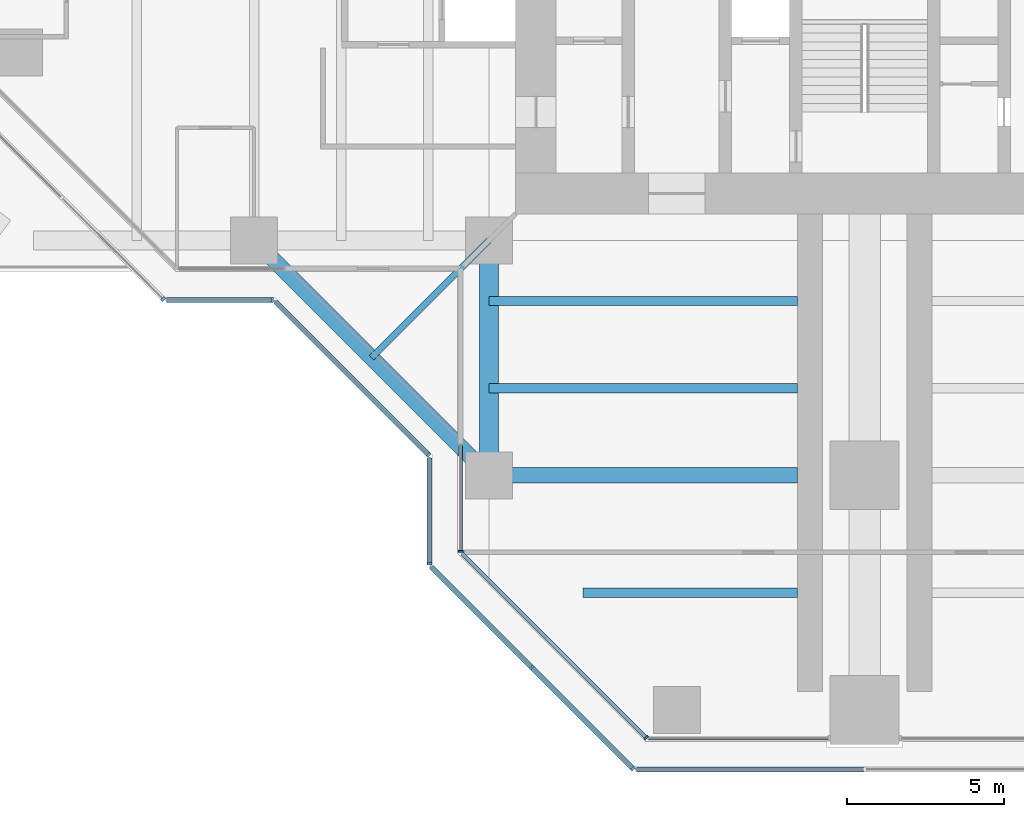
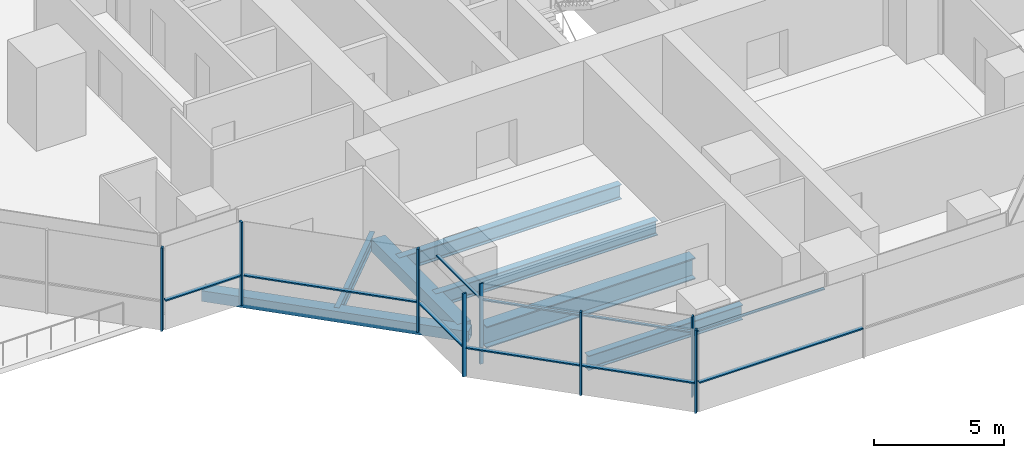
# One storey, part 2 of 19: 17 members, 7 beams, 9 elements without a shape of their own.
"""IFC4 building model written with IfcOpenShell, lengths in metres."""

from ifc_helpers import new_model, si_unit, direction, frame, origin, origin_2d, place, context, subcontext, project, spatial, rectangle, hollow_rectangle, i_section, extrude, material, material_profile, profile_set, type_object, element, aggregate, save


model = new_model("IFC4")

# Units and contexts
model_context = context("Model", 3, precision=1e-05, world=origin(), true_north=direction((0.0, 1.0)))
body_context = subcontext(model_context, "Body", "Model", "MODEL_VIEW")
ifc_project = project(units=[si_unit("LENGTHUNIT", "METRE"), si_unit("AREAUNIT", "SQUARE_METRE"), si_unit("VOLUMEUNIT", "CUBIC_METRE"), si_unit("PLANEANGLEUNIT", "RADIAN"), si_unit("MASSUNIT", "GRAM", prefix="KILO")], contexts=[model_context])

# Site, building, storey
site_placement = place(None, origin())
site = spatial("IfcSite", under=ifc_project, at=site_placement, CompositionType="ELEMENT")
building_placement = place(site_placement, origin())
building = spatial("IfcBuilding", under=site, at=building_placement, Name="Mizan Broadcast Tower", CompositionType="ELEMENT")
storey_placement = place(building_placement, frame((0.0, 0.0, 204.89990234375)))
storey = spatial("IfcBuildingStorey", under=building, at=storey_placement, Name="L47", CompositionType="ELEMENT", Elevation=204.89990234375)

# Beams
ifc_material_1 = material(Name="Steel S355", Category="steel")
ifc_material_profile_1 = material_profile(ifc_material_1, hollow_rectangle(XDim=0.5, YDim=0.5, WallThickness=0.030029296875, at=origin_2d()), Name="BOX 500x500x30")
ifc_profile_set_1 = profile_set([ifc_material_profile_1], Name="Steel S355")
beam_type_1 = type_object("IfcBeamType", Name="EDGE BEAM BOX 500x500x30", PredefinedType="SPANDREL", material=ifc_profile_set_1)
beam_1_placement = place(storey_placement, frame((-19.5, -12.0, -0.3798828125), z_axis=(0.707106781187, -0.707106781187, 0.0), x_axis=(0.707106781187, 0.707106781187, 0.0)))
element("IfcBeam", 1, at=beam_1_placement, inside=storey, type_object=beam_type_1, Name="Winter garden edge beam L47 W", PredefinedType="SPANDREL", context=body_context, shape_type="SweptSolid", body=[
    extrude(hollow_rectangle(XDim=0.5, YDim=0.5, WallThickness=0.030029296875, at=origin_2d()), origin(), (0.0, 0.0, 1.0), 10.606689453125),
])
ifc_material_2 = material(Name="Steel S355", Category="steel")
ifc_material_profile_2 = material_profile(ifc_material_2, hollow_rectangle(XDim=0.60009765625, YDim=0.60009765625, WallThickness=0.0400390625, at=origin_2d()), Name="BOX 600x600x40")
ifc_profile_set_2 = profile_set([ifc_material_profile_2], Name="Steel S355")
beam_type_2 = type_object("IfcBeamType", Name="EDGE BEAM BOX 600x600x40", PredefinedType="SPANDREL", material=ifc_profile_set_2)
beam_2_placement = place(storey_placement, frame((-12.0, -12.449951171875, -0.429931640625), z_axis=(0.0, -1.0, 0.0), x_axis=(1.0, 0.0, 0.0)))
element("IfcBeam", 2, at=beam_2_placement, inside=storey, type_object=beam_type_2, Name="Edge beam BOX 600x600x40 L47 south arm", PredefinedType="SPANDREL", context=body_context, shape_type="SweptSolid", body=[
    extrude(hollow_rectangle(XDim=0.60009765625, YDim=0.60009765625, WallThickness=0.0400390625, at=origin_2d()), origin(), (0.0, 0.0, 1.0), 6.60009765625),
])
ifc_material_3 = material(Name="Steel S460", Category="steel")
ifc_material_profile_3 = material_profile(ifc_material_3, i_section(OverallWidth=0.5, OverallDepth=1.0, WebThickness=0.02490234375, FlangeThickness=0.050048828125, at=origin_2d()), Name="WPG 1000x500")
ifc_profile_set_3 = profile_set([ifc_material_profile_3], Name="Steel S460")
beam_type_3 = type_object("IfcBeamType", Name="GIRDER WPG 1000x500", PredefinedType="BEAM", material=ifc_profile_set_3)
beam_3_placement = place(storey_placement, frame((-11.408935546875, -19.5, -0.6298828125), z_axis=(1.0, 0.0, 0.0), x_axis=(0.0, 1.0, 0.0)))
element("IfcBeam", 3, at=beam_3_placement, inside=storey, type_object=beam_type_3, Name="Girder WPG 1000x500 L47 south arm", PredefinedType="BEAM", context=body_context, shape_type="SweptSolid", body=[
    extrude(i_section(OverallWidth=0.5, OverallDepth=1.0, WebThickness=0.02490234375, FlangeThickness=0.050048828125, at=origin_2d()), origin(), (0.0, 0.0, 1.0), 9.259033203125),
])

# Curtain wall, member
ifc_material_4 = material(Name="Aluminium framed glazing", Category="aluminium")
curtain_wall_type_1 = type_object("IfcCurtainWallType", Name="INNER SKIN HIGH ZONE", PredefinedType="USERDEFINED", material=ifc_material_4)
curtain_wall_1_placement = place(storey_placement, origin())
curtain_wall_1 = element("IfcCurtainWall", 4, at=curtain_wall_1_placement, inside=storey, type_object=curtain_wall_type_1, Name="Inner skin high zone L47 S side", ObjectType="INNER SKIN HIGH ZONE", PredefinedType="USERDEFINED")
ifc_material_5 = material(Name="Aluminium, pale anodised", Category="aluminium")
ifc_material_profile_4 = material_profile(ifc_material_5, rectangle(XDim=0.159912109375, YDim=0.06005859375, at=origin_2d()), Name="MULLION 160x60")
ifc_profile_set_4 = profile_set([ifc_material_profile_4], Name="Aluminium, pale anodised")
member_type_1 = type_object("IfcMemberType", Name="INNER SKIN MULLION 60x160", PredefinedType="MULLION", material=ifc_profile_set_4)
member_1_placement = place(storey_placement, frame((-12.89990234375, -21.928466796875, 0.0), z_axis=(0.0, 0.0, 1.0), x_axis=(1.0, 0.0, 0.0)))
member_1 = element("IfcMember", 5, at=member_1_placement, type_object=member_type_1, Name="Inner skin high zone L47 S side mullion 2", PredefinedType="MULLION", context=body_context, shape_type="SweptSolid", body=[
    extrude(rectangle(XDim=0.159912109375, YDim=0.06005859375, at=origin_2d()), origin(), (0.0, 0.0, 1.0), 3.77001953125),
])

curtain_wall_2_placement = place(storey_placement, origin())
curtain_wall_2 = element("IfcCurtainWall", 6, at=curtain_wall_2_placement, inside=storey, type_object=curtain_wall_type_1, Name="Inner skin high zone L47 S chamfer", ObjectType="INNER SKIN HIGH ZONE", PredefinedType="USERDEFINED")
member_2_placement = place(storey_placement, frame((-6.979736328125, -27.87890625, 0.0), z_axis=(0.0, 0.0, 1.0), x_axis=(0.707106781187, 0.707106781187, 0.0)))
member_2 = element("IfcMember", 7, at=member_2_placement, type_object=member_type_1, Name="Inner skin high zone L47 S chamfer mullion 2", PredefinedType="MULLION", context=body_context, shape_type="SweptSolid", body=[
    extrude(rectangle(XDim=0.159912109375, YDim=0.06005859375, at=origin_2d()), origin(), (0.0, 0.0, 1.0), 3.77001953125),
])

# Member
ifc_material_6 = material(Name="Aluminium, pale anodised", Category="aluminium")
ifc_material_profile_5 = material_profile(ifc_material_6, rectangle(XDim=0.1201171875, YDim=0.06005859375, at=origin_2d()), Name="TRANSOM 120x60")
ifc_profile_set_5 = profile_set([ifc_material_profile_5], Name="Aluminium, pale anodised")
member_type_2 = type_object("IfcMemberType", Name="INNER SKIN TRANSOM 60x120", PredefinedType="USERDEFINED", material=ifc_profile_set_5)
member_3_placement = place(storey_placement, frame((-12.89990234375, -18.56005859375, 3.030029296875), z_axis=(0.0, -1.0, 0.0), x_axis=(1.0, 0.0, 0.0)))
member_3 = element("IfcMember", 8, at=member_3_placement, type_object=member_type_2, Name="Inner skin high zone L47 S side transom 1.1", ObjectType="TRANSOM", PredefinedType="USERDEFINED", context=body_context, shape_type="SweptSolid", body=[
    extrude(rectangle(XDim=0.1201171875, YDim=0.06005859375, at=origin_2d()), origin(), (0.0, 0.0, 1.0), 3.338623046875),
])

aggregate(curtain_wall_1, [member_1, member_3])

member_4_placement = place(storey_placement, frame((-12.857666015625, -22.0009765625, 3.030029296875), z_axis=(0.707106781187, -0.707106781187, 0.0), x_axis=(0.707106781187, 0.707106781187, 0.0)))
member_4 = element("IfcMember", 9, at=member_4_placement, type_object=member_type_2, Name="Inner skin high zone L47 S chamfer transom 1.1", ObjectType="TRANSOM", PredefinedType="USERDEFINED", context=body_context, shape_type="SweptSolid", body=[
    extrude(rectangle(XDim=0.1201171875, YDim=0.06005859375, at=origin_2d()), origin(), (0.0, 0.0, 1.0), 8.28271484375),
])

aggregate(curtain_wall_2, [member_2, member_4])

# Curtain wall, member
curtain_wall_3_placement = place(storey_placement, origin())
curtain_wall_3 = element("IfcCurtainWall", 10, at=curtain_wall_3_placement, inside=storey, type_object=curtain_wall_type_1, Name="Inner skin high zone L47 S end", ObjectType="INNER SKIN HIGH ZONE", PredefinedType="USERDEFINED")
member_5_placement = place(storey_placement, frame((-6.898681640625, -27.89990234375, 3.030029296875), z_axis=(1.0, 0.0, 0.0), x_axis=(0.0, 1.0, 0.0)))
member_5 = element("IfcMember", 11, at=member_5_placement, type_object=member_type_2, Name="Inner skin high zone L47 S end transom 1.1", ObjectType="TRANSOM", PredefinedType="USERDEFINED", context=body_context, shape_type="SweptSolid", body=[
    extrude(rectangle(XDim=0.1201171875, YDim=0.06005859375, at=origin_2d()), origin(), (0.0, 0.0, 1.0), 5.73876953125),
])
aggregate(curtain_wall_3, [member_5])

ifc_material_7 = material(Name="Aluminium framed glazing", Category="aluminium")
curtain_wall_type_2 = type_object("IfcCurtainWallType", Name="OUTER SKIN", PredefinedType="USERDEFINED", material=ifc_material_7)
curtain_wall_4_placement = place(storey_placement, origin())
curtain_wall_4 = element("IfcCurtainWall", 12, at=curtain_wall_4_placement, inside=storey, type_object=curtain_wall_type_2, Name="Outer skin L47 W chamfer", ObjectType="OUTER SKIN", PredefinedType="USERDEFINED")
ifc_material_8 = material(Name="Aluminium, pale anodised", Category="aluminium")
ifc_material_profile_6 = material_profile(ifc_material_8, rectangle(XDim=0.159912109375, YDim=0.080078125, at=origin_2d()), Name="MULLION 160x80")
ifc_profile_set_6 = profile_set([ifc_material_profile_6], Name="Aluminium, pale anodised")
member_type_3 = type_object("IfcMemberType", Name="OUTER SKIN MULLION 80x160", PredefinedType="MULLION", material=ifc_profile_set_6)
member_6_placement = place(storey_placement, frame((-22.401123046875, -13.871826171875, 0.0), z_axis=(0.0, 0.0, 1.0), x_axis=(0.707106781187, 0.707106781187, 0.0)))
member_6 = element("IfcMember", 13, at=member_6_placement, type_object=member_type_3, Name="Outer skin L47 W chamfer mullion 3", PredefinedType="MULLION", context=body_context, shape_type="SweptSolid", body=[
    extrude(rectangle(XDim=0.159912109375, YDim=0.080078125, at=origin_2d()), origin(), (0.0, 0.0, 1.0), 3.900146484375),
])
aggregate(curtain_wall_4, [member_6])

curtain_wall_5_placement = place(storey_placement, origin())
curtain_wall_5 = element("IfcCurtainWall", 14, at=curtain_wall_5_placement, inside=storey, type_object=curtain_wall_type_2, Name="Outer skin L47 W side", ObjectType="OUTER SKIN", PredefinedType="USERDEFINED")
member_7_placement = place(storey_placement, frame((-18.912841796875, -13.89990234375, 0.0), z_axis=(0.0, 0.0, 1.0), x_axis=(0.0, 1.0, 0.0)))
member_7 = element("IfcMember", 15, at=member_7_placement, type_object=member_type_3, Name="Outer skin L47 W side mullion 2", PredefinedType="MULLION", context=body_context, shape_type="SweptSolid", body=[
    extrude(rectangle(XDim=0.159912109375, YDim=0.080078125, at=origin_2d()), origin(), (0.0, 0.0, 1.0), 3.900146484375),
])

curtain_wall_6_placement = place(storey_placement, origin())
curtain_wall_6 = element("IfcCurtainWall", 16, at=curtain_wall_6_placement, inside=storey, type_object=curtain_wall_type_2, Name="Outer skin L47 W chamfer", ObjectType="OUTER SKIN", PredefinedType="USERDEFINED")
member_8_placement = place(storey_placement, frame((-13.92822265625, -18.844482421875, 0.0), z_axis=(0.0, 0.0, 1.0), x_axis=(0.707106781187, 0.707106781187, 0.0)))
member_8 = element("IfcMember", 17, at=member_8_placement, type_object=member_type_3, Name="Outer skin L47 W chamfer mullion 2", PredefinedType="MULLION", context=body_context, shape_type="SweptSolid", body=[
    extrude(rectangle(XDim=0.159912109375, YDim=0.080078125, at=origin_2d()), origin(), (0.0, 0.0, 1.0), 3.900146484375),
])

curtain_wall_7_placement = place(storey_placement, origin())
curtain_wall_7 = element("IfcCurtainWall", 18, at=curtain_wall_7_placement, inside=storey, type_object=curtain_wall_type_2, Name="Outer skin L47 S side", ObjectType="OUTER SKIN", PredefinedType="USERDEFINED")
member_9_placement = place(storey_placement, frame((-13.89990234375, -22.332763671875, 0.0), z_axis=(0.0, 0.0, 1.0), x_axis=(1.0, 0.0, 0.0)))
member_9 = element("IfcMember", 19, at=member_9_placement, type_object=member_type_3, Name="Outer skin L47 S side mullion 2", PredefinedType="MULLION", context=body_context, shape_type="SweptSolid", body=[
    extrude(rectangle(XDim=0.159912109375, YDim=0.080078125, at=origin_2d()), origin(), (0.0, 0.0, 1.0), 3.900146484375),
])

# Curtain wall, members
curtain_wall_8_placement = place(storey_placement, origin())
curtain_wall_8 = element("IfcCurtainWall", 20, at=curtain_wall_8_placement, inside=storey, type_object=curtain_wall_type_2, Name="Outer skin L47 S chamfer", ObjectType="OUTER SKIN", PredefinedType="USERDEFINED")
member_10_placement = place(storey_placement, frame((-10.636474609375, -25.636474609375, 0.0), z_axis=(0.0, 0.0, 1.0), x_axis=(0.707106781187, 0.707106781187, 0.0)))
member_10 = element("IfcMember", 21, at=member_10_placement, type_object=member_type_3, Name="Outer skin L47 S chamfer mullion 2", PredefinedType="MULLION", context=body_context, shape_type="SweptSolid", body=[
    extrude(rectangle(XDim=0.159912109375, YDim=0.080078125, at=origin_2d()), origin(), (0.0, 0.0, 1.0), 3.900146484375),
])
member_11_placement = place(storey_placement, frame((-7.401123046875, -28.871826171875, 0.0), z_axis=(0.0, 0.0, 1.0), x_axis=(0.707106781187, 0.707106781187, 0.0)))
member_11 = element("IfcMember", 22, at=member_11_placement, type_object=member_type_3, Name="Outer skin L47 S chamfer mullion 3", PredefinedType="MULLION", context=body_context, shape_type="SweptSolid", body=[
    extrude(rectangle(XDim=0.159912109375, YDim=0.080078125, at=origin_2d()), origin(), (0.0, 0.0, 1.0), 3.900146484375),
])

# Member
ifc_material_9 = material(Name="Aluminium, pale anodised", Category="aluminium")
ifc_material_profile_7 = material_profile(ifc_material_9, rectangle(XDim=0.159912109375, YDim=0.06005859375, at=origin_2d()), Name="TRANSOM 160x60")
ifc_profile_set_7 = profile_set([ifc_material_profile_7], Name="Aluminium, pale anodised")
member_type_4 = type_object("IfcMemberType", Name="OUTER SKIN TRANSOM 60x160", PredefinedType="USERDEFINED", material=ifc_profile_set_7)
member_12_placement = place(storey_placement, frame((-22.292724609375, -13.89990234375, 1.400146484375), z_axis=(1.0, 0.0, 0.0), x_axis=(0.0, 1.0, 0.0)))
member_12 = element("IfcMember", 23, at=member_12_placement, type_object=member_type_4, Name="Outer skin L47 W side transom 1.1", ObjectType="TRANSOM", PredefinedType="USERDEFINED", context=body_context, shape_type="SweptSolid", body=[
    extrude(rectangle(XDim=0.159912109375, YDim=0.06005859375, at=origin_2d()), origin(), (0.0, 0.0, 1.0), 3.33984375),
])

aggregate(curtain_wall_5, [member_7, member_12])

member_13_placement = place(storey_placement, frame((-18.816162109375, -13.95654296875, 1.400146484375), z_axis=(0.707106781187, -0.707106781187, 0.0), x_axis=(0.707106781187, 0.707106781187, 0.0)))
member_13 = element("IfcMember", 24, at=member_13_placement, type_object=member_type_4, Name="Outer skin L47 W chamfer transom 1.1", ObjectType="TRANSOM", PredefinedType="USERDEFINED", context=body_context, shape_type="SweptSolid", body=[
    extrude(rectangle(XDim=0.159912109375, YDim=0.06005859375, at=origin_2d()), origin(), (0.0, 0.0, 1.0), 6.87255859375),
])

aggregate(curtain_wall_6, [member_8, member_13])

member_14_placement = place(storey_placement, frame((-13.89990234375, -18.952880859375, 1.400146484375), z_axis=(0.0, -1.0, 0.0), x_axis=(1.0, 0.0, 0.0)))
member_14 = element("IfcMember", 25, at=member_14_placement, type_object=member_type_4, Name="Outer skin L47 S side transom 1.1", ObjectType="TRANSOM", PredefinedType="USERDEFINED", context=body_context, shape_type="SweptSolid", body=[
    extrude(rectangle(XDim=0.159912109375, YDim=0.06005859375, at=origin_2d()), origin(), (0.0, 0.0, 1.0), 3.33984375),
])

aggregate(curtain_wall_7, [member_9, member_14])

member_15_placement = place(storey_placement, frame((-13.843505859375, -22.429443359375, 1.400146484375), z_axis=(0.707106781187, -0.707106781187, 0.0), x_axis=(0.707106781187, 0.707106781187, 0.0)))
member_15 = element("IfcMember", 26, at=member_15_placement, type_object=member_type_4, Name="Outer skin L47 S chamfer transom 1.1", ObjectType="TRANSOM", PredefinedType="USERDEFINED", context=body_context, shape_type="SweptSolid", body=[
    extrude(rectangle(XDim=0.159912109375, YDim=0.06005859375, at=origin_2d()), origin(), (0.0, 0.0, 1.0), 4.495361328125),
])

member_16_placement = place(storey_placement, frame((-10.608154296875, -25.664794921875, 1.400146484375), z_axis=(0.707106781187, -0.707106781187, 0.0), x_axis=(0.707106781187, 0.707106781187, 0.0)))
member_16 = element("IfcMember", 27, at=member_16_placement, type_object=member_type_4, Name="Outer skin L47 S chamfer transom 2.1", ObjectType="TRANSOM", PredefinedType="USERDEFINED", context=body_context, shape_type="SweptSolid", body=[
    extrude(rectangle(XDim=0.159912109375, YDim=0.06005859375, at=origin_2d()), origin(), (0.0, 0.0, 1.0), 4.495361328125),
])

aggregate(curtain_wall_8, [member_10, member_11, member_15, member_16])

# Curtain wall, member
curtain_wall_9_placement = place(storey_placement, origin())
curtain_wall_9 = element("IfcCurtainWall", 28, at=curtain_wall_9_placement, inside=storey, type_object=curtain_wall_type_2, Name="Outer skin L47 S end", ObjectType="OUTER SKIN", PredefinedType="USERDEFINED")
member_17_placement = place(storey_placement, frame((-7.292724609375, -28.89990234375, 1.400146484375), z_axis=(1.0, 0.0, 0.0), x_axis=(0.0, 1.0, 0.0)))
member_17 = element("IfcMember", 29, at=member_17_placement, type_object=member_type_4, Name="Outer skin L47 S end transom 1.1", ObjectType="TRANSOM", PredefinedType="USERDEFINED", context=body_context, shape_type="SweptSolid", body=[
    extrude(rectangle(XDim=0.159912109375, YDim=0.06005859375, at=origin_2d()), origin(), (0.0, 0.0, 1.0), 7.252685546875),
])
aggregate(curtain_wall_9, [member_17])

# Beams
ifc_material_10 = material(Name="Steel S355", Category="steel")
ifc_material_profile_8 = material_profile(ifc_material_10, i_section(OverallWidth=0.300048828125, OverallDepth=0.68994140625, WebThickness=0.014404296875, FlangeThickness=0.027099609375, FilletRadius=0.027099609375, at=origin_2d()), Name="HEA 700")
ifc_profile_set_8 = profile_set([ifc_material_profile_8], Name="Steel S355")
beam_type_4 = type_object("IfcBeamType", Name="SECONDARY BEAM HEA 700", PredefinedType="JOIST", material=ifc_profile_set_8)
for number, where, z_axis, x_axis, name in (
    (30, (-12.0, -13.933349609375, -0.474853515625), (1.0, 0.0, 0.0), (0.0, 1.0, 0.0), "Secondary beam HEA 700 L47 south arm"),
    (31, (-12.0, -16.716552734375, -0.474853515625), (1.0, 0.0, 0.0), (0.0, 1.0, 0.0), "Secondary beam HEA 700 L47 south arm"),
):
    element("IfcBeam", number, at=place(storey_placement, frame(where, z_axis=z_axis, x_axis=x_axis)), inside=storey, type_object=beam_type_4, Name=name, PredefinedType="JOIST", context=body_context, shape_type="SweptSolid", body=[
        extrude(i_section(OverallWidth=0.300048828125, OverallDepth=0.68994140625, WebThickness=0.014404296875, FlangeThickness=0.027099609375, FilletRadius=0.027099609375, at=origin_2d()), origin(), (0.0, 0.0, 1.0), 9.85009765625),
    ])
beam_4_placement = place(storey_placement, frame((-9.0, -23.25, -0.474853515625), z_axis=(1.0, 0.0, 0.0), x_axis=(0.0, 1.0, 0.0)))
element("IfcBeam", 32, at=beam_4_placement, inside=storey, type_object=beam_type_4, Name="Secondary beam HEA 700 L47 south arm", PredefinedType="JOIST", context=body_context, shape_type="SweptSolid", body=[
    extrude(i_section(OverallWidth=0.300048828125, OverallDepth=0.68994140625, WebThickness=0.014404296875, FlangeThickness=0.027099609375, FilletRadius=0.027099609375, at=origin_2d()), origin(), (0.0, 0.0, 1.0), 6.85009765625),
])
ifc_material_11 = material(Name="Steel S355", Category="steel")
ifc_material_profile_9 = material_profile(ifc_material_11, i_section(OverallWidth=0.2099609375, OverallDepth=0.550048828125, WebThickness=0.010986328125, FlangeThickness=0.01708984375, FilletRadius=0.02392578125, at=origin_2d()), Name="IPE 550")
ifc_profile_set_9 = profile_set([ifc_material_profile_9], Name="Steel S355")
beam_type_5 = type_object("IfcBeamType", Name="SECONDARY BEAM IPE 550", PredefinedType="JOIST", material=ifc_profile_set_9)
beam_5_placement = place(storey_placement, frame((-12.0, -12.0, -0.40478515625), z_axis=(-0.707106781187, -0.707106781187, 0.0), x_axis=(0.707106781187, -0.707106781187, 0.0)))
element("IfcBeam", 33, at=beam_5_placement, inside=storey, type_object=beam_type_5, Name="Winter garden beam L47 W", PredefinedType="JOIST", context=body_context, shape_type="SweptSolid", body=[
    extrude(i_section(OverallWidth=0.2099609375, OverallDepth=0.550048828125, WebThickness=0.010986328125, FlangeThickness=0.01708984375, FilletRadius=0.02392578125, at=origin_2d()), origin(), (0.0, 0.0, 1.0), 5.30322265625),
])

save(model, "model.ifc")
